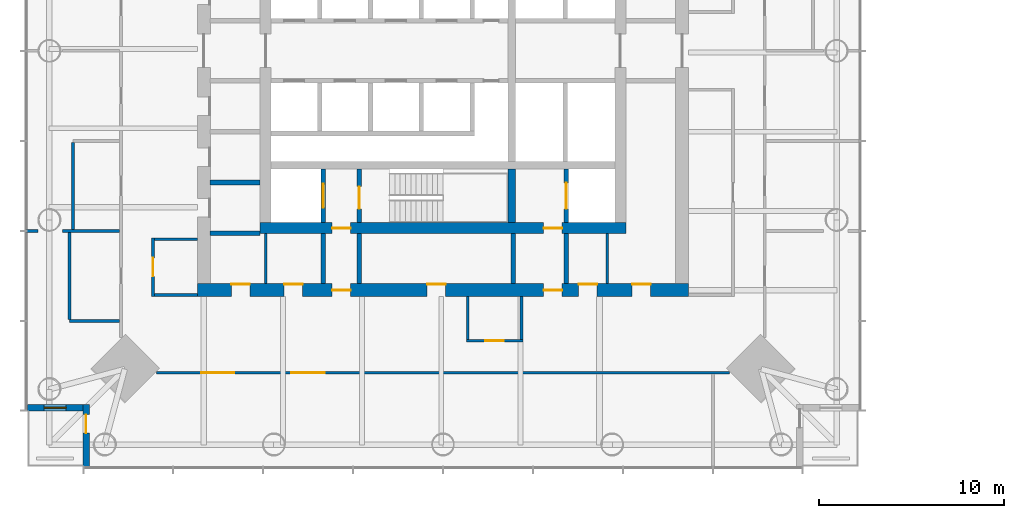
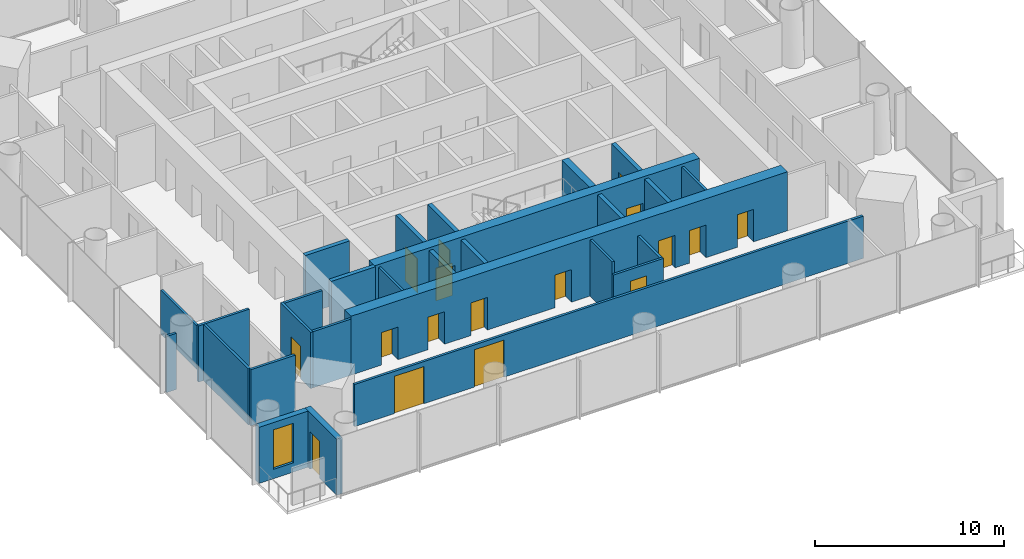
# One storey, part 8 of 18: 28 walls, 17 doors, 1 window, 18 openings.
"""IFC4 building model written with IfcOpenShell, lengths in metres."""

from ifc_helpers import new_model, si_unit, direction, frame, frame_2d, origin, place, context, subcontext, project, spatial, rectangle, extrude, material, layer, layer_set, type_object, element, fill, save


model = new_model("IFC4")

# Units and contexts
model_context = context("Model", 3, precision=1e-05, world=origin(), true_north=direction((0.0, 1.0)))
body_context = subcontext(model_context, "Body", "Model", "MODEL_VIEW")
ifc_project = project(units=[si_unit("LENGTHUNIT", "METRE"), si_unit("AREAUNIT", "SQUARE_METRE"), si_unit("VOLUMEUNIT", "CUBIC_METRE"), si_unit("PLANEANGLEUNIT", "RADIAN"), si_unit("MASSUNIT", "GRAM", prefix="KILO")], contexts=[model_context])

# Site, building, storey
site_placement = place(None, origin())
site = spatial("IfcSite", under=ifc_project, at=site_placement, CompositionType="ELEMENT")
building_placement = place(site_placement, origin())
building = spatial("IfcBuilding", under=site, at=building_placement, Name="Ostroluk Exchange", CompositionType="ELEMENT")
storey_placement = place(building_placement, frame((0.0, 0.0, 104.60009765625)))
storey = spatial("IfcBuildingStorey", under=building, at=storey_placement, Name="L26", CompositionType="ELEMENT", Elevation=104.60009765625)

# Walls
ifc_material_1 = material(Name="Concrete blockwork", Category="masonry")
ifc_layer_1 = layer(ifc_material_1, 0.14990234375)
ifc_layer_set_1 = layer_set([ifc_layer_1], Name="Blockwork plant room wall 150")
wall_type_1 = type_object("IfcWallType", Name="Blockwork plant room wall 150", PredefinedType="SOLIDWALL", material=ifc_layer_set_1)
for number, where, z_axis, x_axis, name in (
    (1, (35.39990234375, 33.39990234375, 0.0), (0.0, 0.0, 1.0), (0.0, 1.0, 0.0), "Core room wall"),
    (2, (53.887939453125, 33.39990234375, 0.0), (0.0, 0.0, 1.0), (0.0, 1.0, 0.0), "Core room wall"),
):
    element("IfcWall", number, at=place(storey_placement, frame(where, z_axis=z_axis, x_axis=x_axis)), inside=storey, type_object=wall_type_1, Name=name, PredefinedType="SOLIDWALL", context=body_context, shape_type="SweptSolid", body=[
        extrude(rectangle(XDim=2.7001953125, YDim=0.14990234375, at=frame_2d((1.35009765625, 0.0))), origin(), (0.0, 0.0, 1.0), 3.619873046875),
    ])
ifc_material_2 = material(Name="Concrete blockwork", Category="masonry")
ifc_layer_2 = layer(ifc_material_2, 0.25)
ifc_layer_set_2 = layer_set([ifc_layer_2], Name="Blockwork stair enclosure wall 250")
wall_type_2 = type_object("IfcWallType", Name="Blockwork stair enclosure wall 250", PredefinedType="SOLIDWALL", material=ifc_layer_set_2)
for number, where, z_axis, x_axis, name in (
    (3, (38.52490234375, 33.39990234375, 0.0), (0.0, 0.0, 1.0), (0.0, 1.0, 0.0), "Fire lobby enclosure wall"),
    (4, (40.47509765625, 33.39990234375, 0.0), (0.0, 0.0, 1.0), (0.0, 1.0, 0.0), "Fire lobby enclosure wall"),
    (5, (48.804931640625, 33.39990234375, 0.0), (0.0, 0.0, 1.0), (0.0, 1.0, 0.0), "Service lobby enclosure wall"),
    (6, (51.675048828125, 33.39990234375, 0.0), (0.0, 0.0, 1.0), (0.0, 1.0, 0.0), "Service lobby enclosure wall"),
):
    element("IfcWall", number, at=place(storey_placement, frame(where, z_axis=z_axis, x_axis=x_axis)), inside=storey, type_object=wall_type_2, Name=name, PredefinedType="SOLIDWALL", context=body_context, shape_type="SweptSolid", body=[
        extrude(rectangle(XDim=2.7001953125, YDim=0.25, at=frame_2d((1.35009765625, 0.0))), origin(), (0.0, 0.0, 1.0), 3.619873046875),
    ])
ifc_material_3 = material(Name="Concrete C50/60", Category="concrete")
ifc_layer_3 = layer(ifc_material_3, 0.39990234375)
ifc_layer_set_3 = layer_set([ifc_layer_3], Name="Core cross wall 400 C50/60")
wall_type_3 = type_object("IfcWallType", Name="Core cross wall 400 C50/60", PredefinedType="SHEAR", material=ifc_layer_set_3)
wall_1_placement = place(storey_placement, frame((48.72998046875, 36.699951171875, 0.0), z_axis=(0.0, 0.0, 1.0), x_axis=(0.0, 1.0, 0.0)))
element("IfcWall", 7, at=wall_1_placement, inside=storey, type_object=wall_type_3, Name="T1 core wall YE1", PredefinedType="SHEAR", context=body_context, shape_type="SweptSolid", body=[
    extrude(rectangle(XDim=2.900146484375, YDim=0.39990234375, at=frame_2d((1.4501953125, 0.0))), origin(), (0.0, 0.0, 1.0), 3.7998046875),
])

# Wall, opening, door
ifc_material_4 = material(Name="Concrete C40/50", Category="concrete")
ifc_layer_4 = layer(ifc_material_4, 0.25)
ifc_layer_set_4 = layer_set([ifc_layer_4], Name="Core shaft wall 250")
wall_type_4 = type_object("IfcWallType", Name="Core shaft wall 250", PredefinedType="SHEAR", material=ifc_layer_set_4)
wall_2_placement = place(storey_placement, frame((38.52490234375, 36.699951171875, 0.0), z_axis=(0.0, 0.0, 1.0), x_axis=(0.0, 1.0, 0.0)))
wall_2 = element("IfcWall", 8, at=wall_2_placement, inside=storey, type_object=wall_type_4, Name="Firefighting lift shaft wall", PredefinedType="SHEAR", context=body_context, shape_type="SweptSolid", body=[
    extrude(rectangle(XDim=2.900146484375, YDim=0.25, at=frame_2d((1.4501953125, 0.0))), origin(), (0.0, 0.0, 1.0), 3.7998046875),
])
opening_1_placement = place(wall_2_placement, frame((0.800048828125, 0.0, 0.0)))
opening_1 = element("IfcOpeningElement", 9, at=opening_1_placement, cuts=wall_2, Name="Opening LD2", PredefinedType="OPENING", context=body_context, shape_type="SweptSolid", body=[
    extrude(rectangle(XDim=1.300048828125, YDim=2.199951171875, at=frame_2d((0.64990234375, 1.10009765625))), frame((0.0, 0.135009765625, 0.0), z_axis=(0.0, -1.0, 0.0), x_axis=(1.0, 0.0, 0.0)), (0.0, 0.0, 1.0), 0.27001953125),
])
ifc_material_5 = material(Name="Stainless steel", Category="steel")
door_type_1 = type_object("IfcDoorType", Name="Lift landing door E 60 1300 x 2200", OperationType="DOUBLE_DOOR_SLIDING", PredefinedType="DOOR", material=ifc_material_5)
door_1_placement = place(opening_1_placement, origin())
door_1 = element("IfcDoor", 10, at=door_1_placement, inside=storey, type_object=door_type_1, Name="Lift FL1 landing door", OperationType="DOUBLE_DOOR_SLIDING", OverallHeight=2.199951171875, OverallWidth=1.300048828125, PredefinedType="DOOR", context=body_context, shape_type="SweptSolid", body=[
    extrude(rectangle(XDim=1.300048828125, YDim=2.199951171875, at=frame_2d((0.64990234375, 1.10009765625))), frame((0.0, 0.02490234375, 0.0), z_axis=(0.0, -1.0, 0.0), x_axis=(1.0, 0.0, 0.0)), (0.0, 0.0, 1.0), 0.050048828125),
])
fill(opening_1, door_1)

wall_3_placement = place(storey_placement, frame((40.47509765625, 36.699951171875, 0.0), z_axis=(0.0, 0.0, 1.0), x_axis=(0.0, 1.0, 0.0)))
wall_3 = element("IfcWall", 11, at=wall_3_placement, inside=storey, type_object=wall_type_4, Name="Stair shaft wall", PredefinedType="SHEAR", context=body_context, shape_type="SweptSolid", body=[
    extrude(rectangle(XDim=2.900146484375, YDim=0.25, at=frame_2d((1.4501953125, 0.0))), origin(), (0.0, 0.0, 1.0), 3.7998046875),
])
opening_2_placement = place(wall_3_placement, frame((0.75, 0.0, 0.0)))
opening_2 = element("IfcOpeningElement", 12, at=opening_2_placement, cuts=wall_3, Name="Opening FD60S", PredefinedType="OPENING", context=body_context, shape_type="SweptSolid", body=[
    extrude(rectangle(XDim=1.199951171875, YDim=2.10009765625, at=frame_2d((0.60009765625, 1.050048828125))), frame((0.0, 0.135009765625, 0.0), z_axis=(0.0, -1.0, 0.0), x_axis=(1.0, 0.0, 0.0)), (0.0, 0.0, 1.0), 0.27001953125),
])
ifc_material_6 = material(Name="Steel", Category="steel")
door_type_2 = type_object("IfcDoorType", Name="Stair door EI 60 1200 x 2100", OperationType="SINGLE_SWING_LEFT", PredefinedType="DOOR", material=ifc_material_6)
door_2_placement = place(opening_2_placement, origin())
door_2 = element("IfcDoor", 13, at=door_2_placement, inside=storey, type_object=door_type_2, Name="Stair T1-S1 door", OperationType="SINGLE_SWING_LEFT", OverallHeight=2.10009765625, OverallWidth=1.199951171875, PredefinedType="DOOR", context=body_context, shape_type="SweptSolid", body=[
    extrude(rectangle(XDim=1.199951171875, YDim=2.10009765625, at=frame_2d((0.60009765625, 1.050048828125))), frame((0.0, 0.02490234375, 0.0), z_axis=(0.0, -1.0, 0.0), x_axis=(1.0, 0.0, 0.0)), (0.0, 0.0, 1.0), 0.050048828125),
])
fill(opening_2, door_2)

wall_4_placement = place(storey_placement, frame((51.675048828125, 36.699951171875, 0.0), z_axis=(0.0, 0.0, 1.0), x_axis=(0.0, 1.0, 0.0)))
wall_4 = element("IfcWall", 14, at=wall_4_placement, inside=storey, type_object=wall_type_4, Name="Service lift shaft wall", PredefinedType="SHEAR", context=body_context, shape_type="SweptSolid", body=[
    extrude(rectangle(XDim=2.900146484375, YDim=0.25, at=frame_2d((1.4501953125, 0.0))), origin(), (0.0, 0.0, 1.0), 3.7998046875),
])
opening_3_placement = place(wall_4_placement, frame((0.75, 0.0, 0.0)))
opening_3 = element("IfcOpeningElement", 15, at=opening_3_placement, cuts=wall_4, Name="Opening LD3", PredefinedType="OPENING", context=body_context, shape_type="SweptSolid", body=[
    extrude(rectangle(XDim=1.39990234375, YDim=2.39990234375, at=frame_2d((0.699951171875, 1.199951171875))), frame((0.0, 0.135009765625, 0.0), z_axis=(0.0, -1.0, 0.0), x_axis=(1.0, 0.0, 0.0)), (0.0, 0.0, 1.0), 0.27001953125),
])
ifc_material_7 = material(Name="Stainless steel", Category="steel")
door_type_3 = type_object("IfcDoorType", Name="Goods lift landing door E 60 1400 x 2400", OperationType="DOUBLE_DOOR_SLIDING", PredefinedType="DOOR", material=ifc_material_7)
door_3_placement = place(opening_3_placement, origin())
door_3 = element("IfcDoor", 16, at=door_3_placement, inside=storey, type_object=door_type_3, Name="Lift SL1 landing door", OperationType="DOUBLE_DOOR_SLIDING", OverallHeight=2.39990234375, OverallWidth=1.39990234375, PredefinedType="DOOR", context=body_context, shape_type="SweptSolid", body=[
    extrude(rectangle(XDim=1.39990234375, YDim=2.39990234375, at=frame_2d((0.699951171875, 1.199951171875))), frame((0.0, 0.02490234375, 0.0), z_axis=(0.0, -1.0, 0.0), x_axis=(1.0, 0.0, 0.0)), (0.0, 0.0, 1.0), 0.050048828125),
])
fill(opening_3, door_3)

# Walls
for number, where, z_axis, x_axis, name in (
    (17, (32.39990234375, 36.125, 0.0), (0.0, 0.0, 1.0), (1.0, 0.0, 0.0), "Lift shaft wall"),
    (18, (32.39990234375, 38.875, 0.0), (0.0, 0.0, 1.0), (1.0, 0.0, 0.0), "Lift shaft wall"),
):
    element("IfcWall", number, at=place(storey_placement, frame(where, z_axis=z_axis, x_axis=x_axis)), inside=storey, type_object=wall_type_4, Name=name, PredefinedType="SHEAR", context=body_context, shape_type="SweptSolid", body=[
        extrude(rectangle(XDim=2.7001953125, YDim=0.25, at=frame_2d((1.35009765625, 0.0))), origin(), (0.0, 0.0, 1.0), 3.7998046875),
    ])

# Wall, openings, doors
ifc_material_8 = material(Name="Concrete C50/60", Category="concrete")
ifc_layer_5 = layer(ifc_material_8, 0.60009765625)
ifc_layer_set_5 = layer_set([ifc_layer_5], Name="Core wall 600 C50/60")
wall_type_5 = type_object("IfcWallType", Name="Core wall 600 C50/60", PredefinedType="SHEAR", material=ifc_layer_set_5)
wall_5_placement = place(storey_placement, frame((35.10009765625, 36.39990234375, 0.0), z_axis=(0.0, 0.0, 1.0), x_axis=(1.0, 0.0, 0.0)))
wall_5 = element("IfcWall", 19, at=wall_5_placement, inside=storey, type_object=wall_type_5, Name="T1 core wall S", PredefinedType="SHEAR", context=body_context, shape_type="SweptSolid", body=[
    extrude(rectangle(XDim=19.7998046875, YDim=0.60009765625, at=frame_2d((9.89990234375, 0.0))), origin(), (0.0, 0.0, 1.0), 3.7998046875),
])
opening_4_placement = place(wall_5_placement, frame((3.89990234375, 0.0, 0.0)))
opening_4 = element("IfcOpeningElement", 20, at=opening_4_placement, cuts=wall_5, Name="Opening FD60", PredefinedType="OPENING", context=body_context, shape_type="SweptSolid", body=[
    extrude(rectangle(XDim=1.0, YDim=2.10009765625, at=frame_2d((0.5, 1.050048828125))), frame((0.0, 0.31005859375, 0.0), z_axis=(0.0, -1.0, 0.0), x_axis=(1.0, 0.0, 0.0)), (0.0, 0.0, 1.0), 0.6201171875),
])
opening_5_placement = place(wall_5_placement, frame((15.35009765625, 0.0, 0.0)))
opening_5 = element("IfcOpeningElement", 21, at=opening_5_placement, cuts=wall_5, Name="Opening FD60", PredefinedType="OPENING", context=body_context, shape_type="SweptSolid", body=[
    extrude(rectangle(XDim=1.0, YDim=2.10009765625, at=frame_2d((0.5, 1.050048828125))), frame((0.0, 0.31005859375, 0.0), z_axis=(0.0, -1.0, 0.0), x_axis=(1.0, 0.0, 0.0)), (0.0, 0.0, 1.0), 0.6201171875),
])
ifc_material_9 = material(Name="Steel", Category="steel")
door_type_4 = type_object("IfcDoorType", Name="Fire door EI 60 1000 x 2100", OperationType="SINGLE_SWING_LEFT", PredefinedType="DOOR", material=ifc_material_9)
door_4_placement = place(opening_4_placement, origin())
door_4 = element("IfcDoor", 22, at=door_4_placement, inside=storey, type_object=door_type_4, Name="Firefighting lobby door", OperationType="SINGLE_SWING_LEFT", OverallHeight=2.10009765625, OverallWidth=1.0, PredefinedType="DOOR", context=body_context, shape_type="SweptSolid", body=[
    extrude(rectangle(XDim=1.0, YDim=2.10009765625, at=frame_2d((0.5, 1.050048828125))), frame((0.0, 0.02490234375, 0.0), z_axis=(0.0, -1.0, 0.0), x_axis=(1.0, 0.0, 0.0)), (0.0, 0.0, 1.0), 0.050048828125),
])
fill(opening_4, door_4)
door_5_placement = place(opening_5_placement, origin())
door_5 = element("IfcDoor", 23, at=door_5_placement, inside=storey, type_object=door_type_4, Name="Service lobby door", OperationType="SINGLE_SWING_RIGHT", OverallHeight=2.10009765625, OverallWidth=1.0, PredefinedType="DOOR", context=body_context, shape_type="SweptSolid", body=[
    extrude(rectangle(XDim=1.0, YDim=2.10009765625, at=frame_2d((0.5, 1.050048828125))), frame((0.0, 0.02490234375, 0.0), z_axis=(0.0, -1.0, 0.0), x_axis=(1.0, 0.0, 0.0)), (0.0, 0.0, 1.0), 0.050048828125),
])
fill(opening_5, door_5)

ifc_material_10 = material(Name="Concrete C50/60", Category="concrete")
ifc_layer_6 = layer(ifc_material_10, 0.699951171875)
ifc_layer_set_6 = layer_set([ifc_layer_6], Name="Core wall 700 C50/60")
wall_type_6 = type_object("IfcWallType", Name="Core wall 700 C50/60", PredefinedType="SHEAR", material=ifc_layer_set_6)
wall_6_placement = place(storey_placement, frame((31.699951171875, 33.050048828125, 0.0), z_axis=(0.0, 0.0, 1.0), x_axis=(1.0, 0.0, 0.0)))
wall_6 = element("IfcWall", 24, at=wall_6_placement, inside=storey, type_object=wall_type_6, Name="T1 core wall RS", PredefinedType="SHEAR", context=body_context, shape_type="SweptSolid", body=[
    extrude(rectangle(XDim=26.60009765625, YDim=0.699951171875, at=frame_2d((13.300048828125, 0.0))), origin(), (0.0, 0.0, 1.0), 3.7998046875),
])
opening_6_placement = place(wall_6_placement, frame((7.300048828125, 0.0, 0.0)))
opening_6 = element("IfcOpeningElement", 25, at=opening_6_placement, cuts=wall_6, Name="Opening FD60", PredefinedType="OPENING", context=body_context, shape_type="SweptSolid", body=[
    extrude(rectangle(XDim=1.0, YDim=2.10009765625, at=frame_2d((0.5, 1.050048828125))), frame((0.0, 0.35986328125, 0.0), z_axis=(0.0, -1.0, 0.0), x_axis=(1.0, 0.0, 0.0)), (0.0, 0.0, 1.0), 0.719970703125),
])
opening_7_placement = place(wall_6_placement, frame((18.75, 0.0, 0.0)))
opening_7 = element("IfcOpeningElement", 26, at=opening_7_placement, cuts=wall_6, Name="Opening FD60", PredefinedType="OPENING", context=body_context, shape_type="SweptSolid", body=[
    extrude(rectangle(XDim=1.0, YDim=2.10009765625, at=frame_2d((0.5, 1.050048828125))), frame((0.0, 0.35986328125, 0.0), z_axis=(0.0, -1.0, 0.0), x_axis=(1.0, 0.0, 0.0)), (0.0, 0.0, 1.0), 0.719970703125),
])
opening_8_placement = place(wall_6_placement, frame((1.85009765625, 0.0, 0.0)))
opening_8 = element("IfcOpeningElement", 27, at=opening_8_placement, cuts=wall_6, Name="Opening FD60", PredefinedType="OPENING", context=body_context, shape_type="SweptSolid", body=[
    extrude(rectangle(XDim=1.0, YDim=2.10009765625, at=frame_2d((0.5, 1.050048828125))), frame((0.0, 0.35986328125, 0.0), z_axis=(0.0, -1.0, 0.0), x_axis=(1.0, 0.0, 0.0)), (0.0, 0.0, 1.0), 0.719970703125),
])
opening_9_placement = place(wall_6_placement, frame((4.699951171875, 0.0, 0.0)))
opening_9 = element("IfcOpeningElement", 28, at=opening_9_placement, cuts=wall_6, Name="Opening FD60", PredefinedType="OPENING", context=body_context, shape_type="SweptSolid", body=[
    extrude(rectangle(XDim=1.0, YDim=2.10009765625, at=frame_2d((0.5, 1.050048828125))), frame((0.0, 0.35986328125, 0.0), z_axis=(0.0, -1.0, 0.0), x_axis=(1.0, 0.0, 0.0)), (0.0, 0.0, 1.0), 0.719970703125),
])
opening_10_placement = place(wall_6_placement, frame((12.43994140625, 0.0, 0.0)))
opening_10 = element("IfcOpeningElement", 29, at=opening_10_placement, cuts=wall_6, Name="Opening FD60", PredefinedType="OPENING", context=body_context, shape_type="SweptSolid", body=[
    extrude(rectangle(XDim=1.0, YDim=2.10009765625, at=frame_2d((0.5, 1.050048828125))), frame((0.0, 0.35986328125, 0.0), z_axis=(0.0, -1.0, 0.0), x_axis=(1.0, 0.0, 0.0)), (0.0, 0.0, 1.0), 0.719970703125),
])
opening_11_placement = place(wall_6_placement, frame((20.64404296875, 0.0, 0.0)))
opening_11 = element("IfcOpeningElement", 30, at=opening_11_placement, cuts=wall_6, Name="Opening FD60", PredefinedType="OPENING", context=body_context, shape_type="SweptSolid", body=[
    extrude(rectangle(XDim=1.0, YDim=2.10009765625, at=frame_2d((0.5, 1.050048828125))), frame((0.0, 0.35986328125, 0.0), z_axis=(0.0, -1.0, 0.0), x_axis=(1.0, 0.0, 0.0)), (0.0, 0.0, 1.0), 0.719970703125),
])
opening_12_placement = place(wall_6_placement, frame((23.5439453125, 0.0, 0.0)))
opening_12 = element("IfcOpeningElement", 31, at=opening_12_placement, cuts=wall_6, Name="Opening FD60", PredefinedType="OPENING", context=body_context, shape_type="SweptSolid", body=[
    extrude(rectangle(XDim=1.0, YDim=2.10009765625, at=frame_2d((0.5, 1.050048828125))), frame((0.0, 0.35986328125, 0.0), z_axis=(0.0, -1.0, 0.0), x_axis=(1.0, 0.0, 0.0)), (0.0, 0.0, 1.0), 0.719970703125),
])
door_6_placement = place(opening_6_placement, origin())
door_6 = element("IfcDoor", 32, at=door_6_placement, inside=storey, type_object=door_type_4, Name="Firefighting lobby door", OperationType="SINGLE_SWING_LEFT", OverallHeight=2.10009765625, OverallWidth=1.0, PredefinedType="DOOR", context=body_context, shape_type="SweptSolid", body=[
    extrude(rectangle(XDim=1.0, YDim=2.10009765625, at=frame_2d((0.5, 1.050048828125))), frame((0.0, 0.02490234375, 0.0), z_axis=(0.0, -1.0, 0.0), x_axis=(1.0, 0.0, 0.0)), (0.0, 0.0, 1.0), 0.050048828125),
])
fill(opening_6, door_6)
door_7_placement = place(opening_7_placement, origin())
door_7 = element("IfcDoor", 33, at=door_7_placement, inside=storey, type_object=door_type_4, Name="Service lobby door", OperationType="SINGLE_SWING_RIGHT", OverallHeight=2.10009765625, OverallWidth=1.0, PredefinedType="DOOR", context=body_context, shape_type="SweptSolid", body=[
    extrude(rectangle(XDim=1.0, YDim=2.10009765625, at=frame_2d((0.5, 1.050048828125))), frame((0.0, 0.02490234375, 0.0), z_axis=(0.0, -1.0, 0.0), x_axis=(1.0, 0.0, 0.0)), (0.0, 0.0, 1.0), 0.050048828125),
])
fill(opening_7, door_7)
door_8_placement = place(opening_8_placement, origin())
door_8 = element("IfcDoor", 34, at=door_8_placement, inside=storey, type_object=door_type_4, Name="Archive door", OperationType="SINGLE_SWING_LEFT", OverallHeight=2.10009765625, OverallWidth=1.0, PredefinedType="DOOR", context=body_context, shape_type="SweptSolid", body=[
    extrude(rectangle(XDim=1.0, YDim=2.10009765625, at=frame_2d((0.5, 1.050048828125))), frame((0.0, 0.33984375, 0.0), z_axis=(0.0, -1.0, 0.0), x_axis=(1.0, 0.0, 0.0)), (0.0, 0.0, 1.0), 0.050048828125),
])
fill(opening_8, door_8)
door_9_placement = place(opening_9_placement, origin())
door_9 = element("IfcDoor", 35, at=door_9_placement, inside=storey, type_object=door_type_4, Name="Tenant IT room door", OperationType="SINGLE_SWING_LEFT", OverallHeight=2.10009765625, OverallWidth=1.0, PredefinedType="DOOR", context=body_context, shape_type="SweptSolid", body=[
    extrude(rectangle(XDim=1.0, YDim=2.10009765625, at=frame_2d((0.5, 1.050048828125))), frame((0.0, 0.33984375, 0.0), z_axis=(0.0, -1.0, 0.0), x_axis=(1.0, 0.0, 0.0)), (0.0, 0.0, 1.0), 0.050048828125),
])
fill(opening_9, door_9)
door_10_placement = place(opening_10_placement, origin())
door_10 = element("IfcDoor", 36, at=door_10_placement, inside=storey, type_object=door_type_4, Name="Tea point door", OperationType="SINGLE_SWING_LEFT", OverallHeight=2.10009765625, OverallWidth=1.0, PredefinedType="DOOR", context=body_context, shape_type="SweptSolid", body=[
    extrude(rectangle(XDim=1.0, YDim=2.10009765625, at=frame_2d((0.5, 1.050048828125))), frame((0.0, 0.33984375, 0.0), z_axis=(0.0, -1.0, 0.0), x_axis=(1.0, 0.0, 0.0)), (0.0, 0.0, 1.0), 0.050048828125),
])
fill(opening_10, door_10)
door_11_placement = place(opening_11_placement, origin())
door_11 = element("IfcDoor", 37, at=door_11_placement, inside=storey, type_object=door_type_4, Name="Store door", OperationType="SINGLE_SWING_RIGHT", OverallHeight=2.10009765625, OverallWidth=1.0, PredefinedType="DOOR", context=body_context, shape_type="SweptSolid", body=[
    extrude(rectangle(XDim=1.0, YDim=2.10009765625, at=frame_2d((0.5, 1.050048828125))), frame((0.0, 0.33984375, 0.0), z_axis=(0.0, -1.0, 0.0), x_axis=(1.0, 0.0, 0.0)), (0.0, 0.0, 1.0), 0.050048828125),
])
fill(opening_11, door_11)
door_12_placement = place(opening_12_placement, origin())
door_12 = element("IfcDoor", 38, at=door_12_placement, inside=storey, type_object=door_type_4, Name="First aid room door", OperationType="SINGLE_SWING_RIGHT", OverallHeight=2.10009765625, OverallWidth=1.0, PredefinedType="DOOR", context=body_context, shape_type="SweptSolid", body=[
    extrude(rectangle(XDim=1.0, YDim=2.10009765625, at=frame_2d((0.5, 1.050048828125))), frame((0.0, 0.33984375, 0.0), z_axis=(0.0, -1.0, 0.0), x_axis=(1.0, 0.0, 0.0)), (0.0, 0.0, 1.0), 0.050048828125),
])
fill(opening_12, door_12)

# Wall, opening, door
ifc_material_11 = material(Name="Limestone", Category="masonry")
ifc_layer_7 = layer(ifc_material_11, 0.35009765625)
ifc_layer_set_7 = layer_set([ifc_layer_7], Name="Limestone facade wall 350")
wall_type_7 = type_object("IfcWallType", Name="Limestone facade wall 350", PredefinedType="SOLIDWALL", material=ifc_layer_set_7)
wall_7_placement = place(storey_placement, frame((25.675048828125, 23.5, 0.0), z_axis=(0.0, 0.0, 1.0), x_axis=(0.0, 1.0, 0.0)))
wall_7 = element("IfcWall", 39, at=wall_7_placement, inside=storey, type_object=wall_type_7, Name="Office tower SW corner wall L26 a", PredefinedType="SOLIDWALL", context=body_context, shape_type="SweptSolid", body=[
    extrude(rectangle(XDim=3.35009765625, YDim=0.35009765625, at=frame_2d((1.675048828125, 0.0))), origin(), (0.0, 0.0, 1.0), 3.619873046875),
])
opening_13_placement = place(wall_7_placement, frame((1.800048828125, 0.0, 0.0)))
opening_13 = element("IfcOpeningElement", 40, at=opening_13_placement, cuts=wall_7, Name="Opening D-B1", PredefinedType="OPENING", context=body_context, shape_type="SweptSolid", body=[
    extrude(rectangle(XDim=1.0, YDim=2.39990234375, at=frame_2d((0.5, 1.199951171875))), frame((0.0, 0.18505859375, 0.0), z_axis=(0.0, -1.0, 0.0), x_axis=(1.0, 0.0, 0.0)), (0.0, 0.0, 1.0), 0.3701171875),
])
ifc_material_12 = material(Name="Bronze framed glazed door", Category="aluminium")
door_type_5 = type_object("IfcDoorType", Name="Balcony door 1000 x 2400", OperationType="SINGLE_SWING_LEFT", PredefinedType="DOOR", material=ifc_material_12)
door_13_placement = place(opening_13_placement, origin())
door_13 = element("IfcDoor", 41, at=door_13_placement, inside=storey, type_object=door_type_5, Name="Office tower SW balcony door L26", OperationType="SINGLE_SWING_RIGHT", OverallHeight=2.39990234375, OverallWidth=1.0, PredefinedType="DOOR", context=body_context, shape_type="SweptSolid", body=[
    extrude(rectangle(XDim=1.0, YDim=2.39990234375, at=frame_2d((0.5, 1.199951171875))), frame((0.0, 0.02490234375, 0.0), z_axis=(0.0, -1.0, 0.0), x_axis=(1.0, 0.0, 0.0)), (0.0, 0.0, 1.0), 0.050048828125),
])
fill(opening_13, door_13)

# Wall, opening, window
wall_8_placement = place(storey_placement, frame((25.5, 26.675048828125, 0.0), z_axis=(0.0, 0.0, 1.0), x_axis=(-1.0, 0.0, 0.0)))
wall_8 = element("IfcWall", 42, at=wall_8_placement, inside=storey, type_object=wall_type_7, Name="Office tower SW corner wall L26 b", PredefinedType="SOLIDWALL", context=body_context, shape_type="SweptSolid", body=[
    extrude(rectangle(XDim=3.0, YDim=0.35009765625, at=frame_2d((1.5, 0.0))), origin(), (0.0, 0.0, 1.0), 3.619873046875),
])
opening_14_placement = place(wall_8_placement, frame((0.89990234375, 0.0, 0.60009765625)))
opening_14 = element("IfcOpeningElement", 43, at=opening_14_placement, cuts=wall_8, Name="Opening WN-L1", PredefinedType="OPENING", context=body_context, shape_type="SweptSolid", body=[
    extrude(rectangle(XDim=1.199951171875, YDim=2.550048828125, at=frame_2d((0.60009765625, 1.27490234375))), frame((0.0, 0.18505859375, 0.0), z_axis=(0.0, -1.0, 0.0), x_axis=(1.0, 0.0, 0.0)), (0.0, 0.0, 1.0), 0.3701171875),
])
ifc_material_13 = material(Name="Laminated clear glass", Category="glass")
window_type = type_object("IfcWindowType", Name="Lancet window 1200 x 2550", PartitioningType="SINGLE_PANEL", PredefinedType="WINDOW", material=ifc_material_13)
window_placement = place(opening_14_placement, origin())
window = element("IfcWindow", 44, at=window_placement, inside=storey, type_object=window_type, Name="Office tower SW lancet window L26", OverallHeight=2.550048828125, OverallWidth=1.199951171875, PartitioningType="SINGLE_PANEL", PredefinedType="WINDOW", context=body_context, shape_type="SweptSolid", body=[
    extrude(rectangle(XDim=1.199951171875, YDim=2.550048828125, at=frame_2d((0.60009765625, 1.27490234375))), frame((0.0, 0.030029296875, 0.0), z_axis=(0.0, -1.0, 0.0), x_axis=(1.0, 0.0, 0.0)), (0.0, 0.0, 1.0), 0.06005859375),
])
fill(opening_14, window)

# Wall, opening, door
ifc_material_14 = material(Name="Gypsum plasterboard partition", Category="gypsum")
ifc_layer_8 = layer(ifc_material_14, 0.14990234375)
ifc_layer_set_8 = layer_set([ifc_layer_8], Name="Plasterboard partition 150")
wall_type_8 = type_object("IfcWallType", Name="Plasterboard partition 150", PredefinedType="PARTITIONING", material=ifc_layer_set_8)
wall_9_placement = place(storey_placement, frame((29.300048828125, 35.875, 0.0), z_axis=(0.0, 0.0, 1.0), x_axis=(0.0, -1.0, 0.0)))
wall_9 = element("IfcWall", 45, at=wall_9_placement, inside=storey, type_object=wall_type_8, Name="Partition", PredefinedType="PARTITIONING", context=body_context, shape_type="SweptSolid", body=[
    extrude(rectangle(XDim=3.175048828125, YDim=0.14990234375, at=frame_2d((1.58740234375, 0.0))), origin(), (0.0, 0.0, 1.0), 3.619873046875),
])
opening_15_placement = place(wall_9_placement, frame((1.08740234375, 0.0, 0.0)))
opening_15 = element("IfcOpeningElement", 46, at=opening_15_placement, cuts=wall_9, Name="Opening D-03", PredefinedType="OPENING", context=body_context, shape_type="SweptSolid", body=[
    extrude(rectangle(XDim=1.0, YDim=2.10009765625, at=frame_2d((0.5, 1.050048828125))), frame((0.0, 0.0849609375, 0.0), z_axis=(0.0, -1.0, 0.0), x_axis=(1.0, 0.0, 0.0)), (0.0, 0.0, 1.0), 0.169921875),
])
ifc_material_15 = material(Name="Timber", Category="wood")
door_type_6 = type_object("IfcDoorType", Name="Internal door 1000 x 2100", OperationType="SINGLE_SWING_LEFT", PredefinedType="DOOR", material=ifc_material_15)
door_14_placement = place(opening_15_placement, origin())
door_14 = element("IfcDoor", 47, at=door_14_placement, inside=storey, type_object=door_type_6, Name="Meeting room door", OperationType="SINGLE_SWING_RIGHT", OverallHeight=2.10009765625, OverallWidth=1.0, PredefinedType="DOOR", context=body_context, shape_type="SweptSolid", body=[
    extrude(rectangle(XDim=1.0, YDim=2.10009765625, at=frame_2d((0.5, 1.050048828125))), frame((0.0, 0.02490234375, 0.0), z_axis=(0.0, -1.0, 0.0), x_axis=(1.0, 0.0, 0.0)), (0.0, 0.0, 1.0), 0.050048828125),
])
fill(opening_15, door_14)

# Walls
for number, where, z_axis, x_axis, name in (
    (48, (31.699951171875, 35.800048828125, 0.0), (0.0, 0.0, 1.0), (-1.0, 0.0, 0.0), "Partition"),
    (49, (31.699951171875, 32.77490234375, 0.0), (0.0, 0.0, 1.0), (-1.0, 0.0, 0.0), "Partition"),
):
    element("IfcWall", number, at=place(storey_placement, frame(where, z_axis=z_axis, x_axis=x_axis)), inside=storey, type_object=wall_type_8, Name=name, PredefinedType="PARTITIONING", context=body_context, shape_type="SweptSolid", body=[
        extrude(rectangle(XDim=2.324951171875, YDim=0.14990234375, at=frame_2d((1.16259765625, 0.0))), origin(), (0.0, 0.0, 1.0), 3.619873046875),
    ])

# Wall, opening, door
wall_10_placement = place(storey_placement, frame((46.264892578125, 30.300048828125, 0.0), z_axis=(0.0, 0.0, 1.0), x_axis=(1.0, 0.0, 0.0)))
wall_10 = element("IfcWall", 50, at=wall_10_placement, inside=storey, type_object=wall_type_8, Name="Partition", PredefinedType="PARTITIONING", context=body_context, shape_type="SweptSolid", body=[
    extrude(rectangle(XDim=3.06005859375, YDim=0.14990234375, at=frame_2d((1.530029296875, 0.0))), origin(), (0.0, 0.0, 1.0), 2.85791015625),
])
opening_16_placement = place(wall_10_placement, frame((1.030029296875, 0.0, 0.0)))
opening_16 = element("IfcOpeningElement", 51, at=opening_16_placement, cuts=wall_10, Name="Opening D-03", PredefinedType="OPENING", context=body_context, shape_type="SweptSolid", body=[
    extrude(rectangle(XDim=1.0, YDim=2.10009765625, at=frame_2d((0.5, 1.050048828125))), frame((0.0, 0.0849609375, 0.0), z_axis=(0.0, -1.0, 0.0), x_axis=(1.0, 0.0, 0.0)), (0.0, 0.0, 1.0), 0.169921875),
])
door_15_placement = place(opening_16_placement, origin())
door_15 = element("IfcDoor", 52, at=door_15_placement, inside=storey, type_object=door_type_6, Name="Quiet room door", OperationType="SINGLE_SWING_LEFT", OverallHeight=2.10009765625, OverallWidth=1.0, PredefinedType="DOOR", context=body_context, shape_type="SweptSolid", body=[
    extrude(rectangle(XDim=1.0, YDim=2.10009765625, at=frame_2d((0.5, 1.050048828125))), frame((0.0, 0.02490234375, 0.0), z_axis=(0.0, -1.0, 0.0), x_axis=(1.0, 0.0, 0.0)), (0.0, 0.0, 1.0), 0.050048828125),
])
fill(opening_16, door_15)

# Walls
wall_11_placement = place(storey_placement, frame((46.340087890625, 32.699951171875, 0.0), z_axis=(0.0, 0.0, 1.0), x_axis=(0.0, -1.0, 0.0)))
element("IfcWall", 53, at=wall_11_placement, inside=storey, type_object=wall_type_8, Name="Partition", PredefinedType="PARTITIONING", context=body_context, shape_type="SweptSolid", body=[
    extrude(rectangle(XDim=2.324951171875, YDim=0.14990234375, at=frame_2d((1.16259765625, 0.0))), origin(), (0.0, 0.0, 1.0), 3.619873046875),
])
wall_12_placement = place(storey_placement, frame((49.25, 32.699951171875, 0.0), z_axis=(0.0, 0.0, 1.0), x_axis=(0.0, -1.0, 0.0)))
element("IfcWall", 54, at=wall_12_placement, inside=storey, type_object=wall_type_8, Name="Partition", PredefinedType="PARTITIONING", context=body_context, shape_type="SweptSolid", body=[
    extrude(rectangle(XDim=2.324951171875, YDim=0.14990234375, at=frame_2d((1.16259765625, 0.0))), origin(), (0.0, 0.0, 1.0), 2.85791015625),
])
wall_13_placement = place(storey_placement, frame((27.5, 36.25, 0.0), z_axis=(0.0, 0.0, 1.0), x_axis=(-1.0, 0.0, 0.0)))
element("IfcWall", 55, at=wall_13_placement, inside=storey, type_object=wall_type_8, Name="Partition", PredefinedType="PARTITIONING", context=body_context, shape_type="SweptSolid", body=[
    extrude(rectangle(XDim=3.09765625, YDim=0.14990234375, at=frame_2d((1.548828125, 0.0))), origin(), (0.0, 0.0, 1.0), 3.619873046875),
])
wall_14_placement = place(storey_placement, frame((23.06201171875, 36.25, 0.0), z_axis=(0.0, 0.0, 1.0), x_axis=(-1.0, 0.0, 0.0)))
element("IfcWall", 56, at=wall_14_placement, inside=storey, type_object=wall_type_8, Name="Partition", PredefinedType="PARTITIONING", context=body_context, shape_type="SweptSolid", body=[
    extrude(rectangle(XDim=0.60205078125, YDim=0.14990234375, at=frame_2d((0.301025390625, 0.0))), origin(), (0.0, 0.0, 1.0), 3.619873046875),
])
wall_15_placement = place(storey_placement, frame((27.5, 31.375, 0.0), z_axis=(0.0, 0.0, 1.0), x_axis=(-1.0, 0.0, 0.0)))
element("IfcWall", 57, at=wall_15_placement, inside=storey, type_object=wall_type_8, Name="Partition", PredefinedType="PARTITIONING", context=body_context, shape_type="SweptSolid", body=[
    extrude(rectangle(XDim=2.72509765625, YDim=0.14990234375, at=frame_2d((1.362548828125, 0.0))), origin(), (0.0, 0.0, 1.0), 3.619873046875),
])

# Wall, openings, doors
wall_16_placement = place(storey_placement, frame((29.488525390625, 28.574951171875, 0.0), z_axis=(0.0, 0.0, 1.0), x_axis=(1.0, 0.0, 0.0)))
wall_16 = element("IfcWall", 58, at=wall_16_placement, inside=storey, type_object=wall_type_8, Name="Partition", PredefinedType="PARTITIONING", context=body_context, shape_type="SweptSolid", body=[
    extrude(rectangle(XDim=31.02294921875, YDim=0.14990234375, at=frame_2d((15.511474609375, 0.0))), origin(), (0.0, 0.0, 1.0), 2.719970703125),
])
opening_17_placement = place(wall_16_placement, frame((2.424072265625, 0.0, 0.0)))
opening_17 = element("IfcOpeningElement", 59, at=opening_17_placement, cuts=wall_16, Name="Opening D-04", PredefinedType="OPENING", context=body_context, shape_type="SweptSolid", body=[
    extrude(rectangle(XDim=1.800048828125, YDim=2.39990234375, at=frame_2d((0.89990234375, 1.199951171875))), frame((0.0, 0.0849609375, 0.0), z_axis=(0.0, -1.0, 0.0), x_axis=(1.0, 0.0, 0.0)), (0.0, 0.0, 1.0), 0.169921875),
])
opening_18_placement = place(wall_16_placement, frame((7.299072265625, 0.0, 0.0)))
opening_18 = element("IfcOpeningElement", 60, at=opening_18_placement, cuts=wall_16, Name="Opening D-04", PredefinedType="OPENING", context=body_context, shape_type="SweptSolid", body=[
    extrude(rectangle(XDim=1.800048828125, YDim=2.39990234375, at=frame_2d((0.89990234375, 1.199951171875))), frame((0.0, 0.0849609375, 0.0), z_axis=(0.0, -1.0, 0.0), x_axis=(1.0, 0.0, 0.0)), (0.0, 0.0, 1.0), 0.169921875),
])
ifc_material_16 = material(Name="Timber", Category="wood")
door_type_7 = type_object("IfcDoorType", Name="Double door 1800 x 2400", OperationType="DOUBLE_DOOR_SINGLE_SWING", PredefinedType="DOOR", material=ifc_material_16)
door_16_placement = place(opening_17_placement, origin())
door_16 = element("IfcDoor", 61, at=door_16_placement, inside=storey, type_object=door_type_7, Name="Open plan office door", OperationType="DOUBLE_DOOR_SINGLE_SWING", OverallHeight=2.39990234375, OverallWidth=1.800048828125, PredefinedType="DOOR", context=body_context, shape_type="SweptSolid", body=[
    extrude(rectangle(XDim=1.800048828125, YDim=2.39990234375, at=frame_2d((0.89990234375, 1.199951171875))), frame((0.0, 0.02490234375, 0.0), z_axis=(0.0, -1.0, 0.0), x_axis=(1.0, 0.0, 0.0)), (0.0, 0.0, 1.0), 0.050048828125),
])
fill(opening_17, door_16)
door_17_placement = place(opening_18_placement, origin())
door_17 = element("IfcDoor", 62, at=door_17_placement, inside=storey, type_object=door_type_7, Name="Open plan office door", OperationType="DOUBLE_DOOR_SINGLE_SWING", OverallHeight=2.39990234375, OverallWidth=1.800048828125, PredefinedType="DOOR", context=body_context, shape_type="SweptSolid", body=[
    extrude(rectangle(XDim=1.800048828125, YDim=2.39990234375, at=frame_2d((0.89990234375, 1.199951171875))), frame((0.0, 0.02490234375, 0.0), z_axis=(0.0, -1.0, 0.0), x_axis=(1.0, 0.0, 0.0)), (0.0, 0.0, 1.0), 0.050048828125),
])
fill(opening_18, door_17)

# Walls
ifc_material_17 = material(Name="Gypsum plasterboard partition, moisture resistant", Category="gypsum")
ifc_layer_9 = layer(ifc_material_17, 0.14990234375)
ifc_layer_set_9 = layer_set([ifc_layer_9], Name="Plasterboard toilet partition 150")
wall_type_9 = type_object("IfcWallType", Name="Plasterboard toilet partition 150", PredefinedType="PARTITIONING", material=ifc_layer_set_9)
wall_17_placement = place(storey_placement, frame((24.97509765625, 41.050048828125, 0.0), z_axis=(0.0, 0.0, 1.0), x_axis=(0.0, -1.0, 0.0)))
element("IfcWall", 63, at=wall_17_placement, inside=storey, type_object=wall_type_9, Name="Toilet partition", PredefinedType="PARTITIONING", context=body_context, shape_type="SweptSolid", body=[
    extrude(rectangle(XDim=4.72509765625, YDim=0.14990234375, at=frame_2d((2.362548828125, 0.0))), origin(), (0.0, 0.0, 1.0), 2.805908203125),
])
wall_18_placement = place(storey_placement, frame((24.77490234375, 36.175048828125, 0.0), z_axis=(0.0, 0.0, 1.0), x_axis=(0.0, -1.0, 0.0)))
element("IfcWall", 64, at=wall_18_placement, inside=storey, type_object=wall_type_9, Name="Toilet partition", PredefinedType="PARTITIONING", context=body_context, shape_type="SweptSolid", body=[
    extrude(rectangle(XDim=4.72509765625, YDim=0.14990234375, at=frame_2d((2.362548828125, 0.0))), origin(), (0.0, 0.0, 1.0), 3.619873046875),
])

save(model, "model.ifc")
